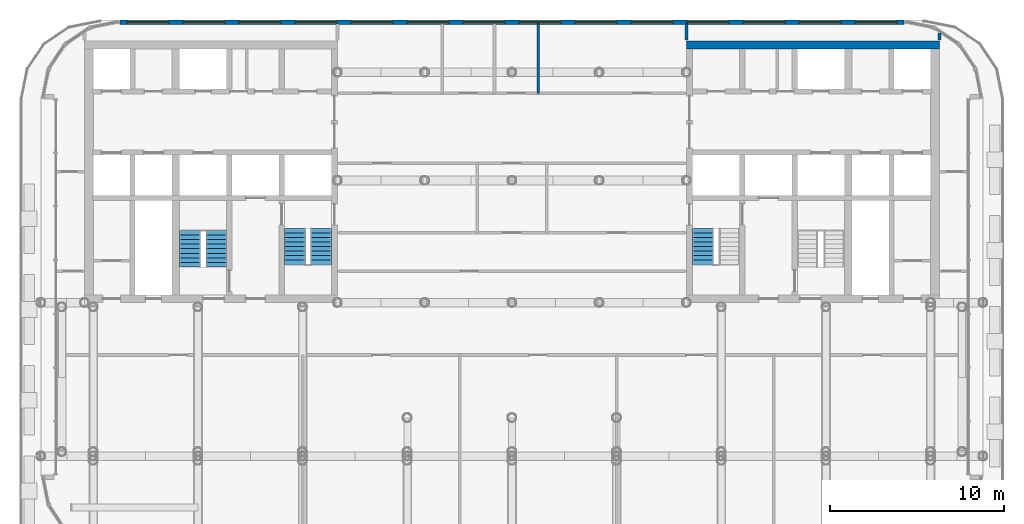
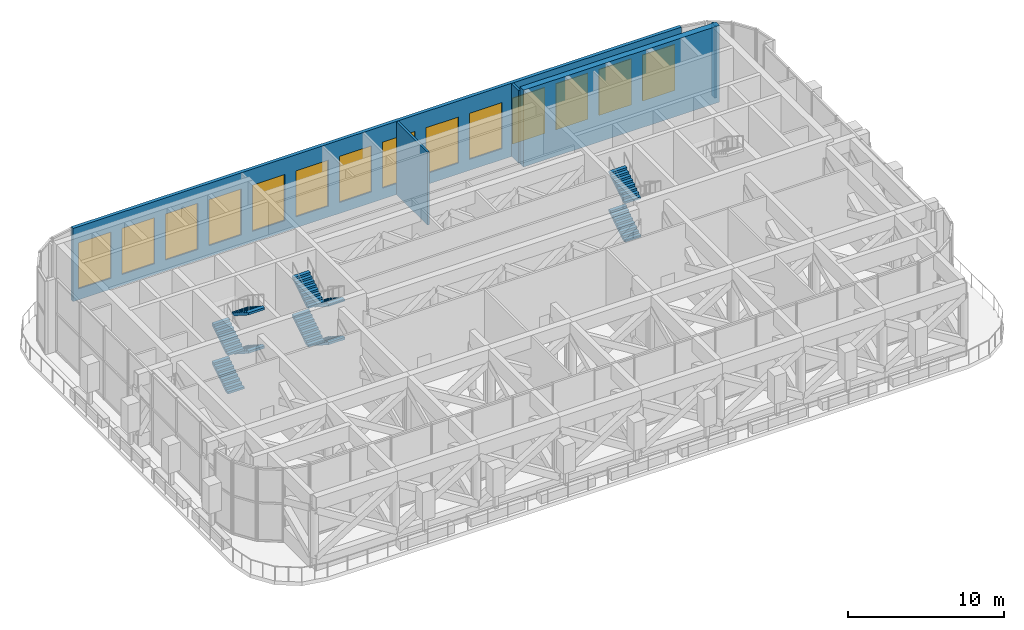
# One storey, part 15 of 20: 14 windows, 10 stair flights, 5 walls, 14 openings, 3 elements without a shape of their own.
"""IFC4 building model written with IfcOpenShell, lengths in metres."""

from ifc_helpers import new_model, si_unit, direction, frame, frame_2d, origin, place, context, subcontext, project, spatial, polyline, rectangle, outline, extrude, material, layer, layer_set, type_object, element, fill, aggregate, save


model = new_model("IFC4")

# Units and contexts
model_context = context("Model", 3, precision=1e-05, world=origin(), true_north=direction((0.0, 1.0)))
body_context = subcontext(model_context, "Body", "Model", "MODEL_VIEW")
ifc_project = project(units=[si_unit("LENGTHUNIT", "METRE"), si_unit("AREAUNIT", "SQUARE_METRE"), si_unit("VOLUMEUNIT", "CUBIC_METRE"), si_unit("PLANEANGLEUNIT", "RADIAN"), si_unit("MASSUNIT", "GRAM", prefix="KILO")], contexts=[model_context])

# Site, building, storey
site_placement = place(None, origin())
site = spatial("IfcSite", under=ifc_project, at=site_placement, CompositionType="ELEMENT")
building_placement = place(site_placement, origin())
building = spatial("IfcBuilding", under=site, at=building_placement, Name="Torana Hotel and Residences", CompositionType="ELEMENT")
storey_placement = place(building_placement, frame((0.0, 0.0, 177.60009765625)))
storey = spatial("IfcBuildingStorey", under=building, at=storey_placement, Name="L46", CompositionType="ELEMENT", Elevation=177.60009765625)

# Wall
ifc_material_1 = material(Name="Concrete C70/85", Category="concrete")
ifc_layer_1 = layer(ifc_material_1, 0.449951171875)
ifc_layer_set_1 = layer_set([ifc_layer_1], Name="CORE WALL 450 C70/85")
wall_type_1 = type_object("IfcWallType", Name="CORE WALL 450 C70/85", PredefinedType="SHEAR", material=ifc_layer_set_1)
wall_1_placement = place(storey_placement, frame((10.0, -0.22509765625, 0.0), z_axis=(0.0, 0.0, 1.0), x_axis=(1.0, 0.0, 0.0)))
element("IfcWall", 1, at=wall_1_placement, inside=storey, type_object=wall_type_1, Name="Core wall E rear", PredefinedType="SHEAR", context=body_context, shape_type="SweptSolid", body=[
    extrude(rectangle(XDim=14.5, YDim=0.449951171875, at=frame_2d((7.25, 0.0))), origin(), (0.0, 0.0, 1.0), 6.0),
])

# Wall, openings, windows
ifc_material_2 = material(Name="Aluminium louvre wall", Category="aluminium")
ifc_layer_2 = layer(ifc_material_2, 0.25)
ifc_layer_set_2 = layer_set([ifc_layer_2], Name="EW3 LOUVRE WALL 250")
wall_type_2 = type_object("IfcWallType", Name="EW3 LOUVRE WALL 250", PredefinedType="SOLIDWALL", material=ifc_layer_set_2)
wall_2_placement = place(storey_placement, frame((22.475341796875, 1.074951171875, 0.0), z_axis=(0.0, 0.0, 1.0), x_axis=(-1.0, 0.0, 0.0)))
wall_2 = element("IfcWall", 2, at=wall_2_placement, inside=storey, type_object=wall_type_2, Name="Louvre wall L46 e0.4", PredefinedType="SOLIDWALL", context=body_context, shape_type="SweptSolid", body=[
    extrude(rectangle(XDim=44.95068359375, YDim=0.25, at=frame_2d((22.475341796875, 0.0))), origin(), (0.0, 0.0, 1.0), 5.719970703125),
])
opening_1_placement = place(wall_2_placement, frame((0.405517578125, 0.0, 0.85791015625)))
opening_1 = element("IfcOpeningElement", 3, at=opening_1_placement, cuts=wall_2, Name="Opening LV2", PredefinedType="OPENING", context=body_context, shape_type="SweptSolid", body=[
    extrude(rectangle(XDim=2.39990234375, YDim=3.60009765625, at=frame_2d((1.199951171875, 1.800048828125))), frame((0.0, 0.135009765625, 0.0), z_axis=(0.0, -1.0, 0.0), x_axis=(1.0, 0.0, 0.0)), (0.0, 0.0, 1.0), 0.27001953125),
])
opening_2_placement = place(wall_2_placement, frame((3.6162109375, 0.0, 0.85791015625)))
opening_2 = element("IfcOpeningElement", 4, at=opening_2_placement, cuts=wall_2, Name="Opening LV2", PredefinedType="OPENING", context=body_context, shape_type="SweptSolid", body=[
    extrude(rectangle(XDim=2.39990234375, YDim=3.60009765625, at=frame_2d((1.199951171875, 1.800048828125))), frame((0.0, 0.135009765625, 0.0), z_axis=(0.0, -1.0, 0.0), x_axis=(1.0, 0.0, 0.0)), (0.0, 0.0, 1.0), 0.27001953125),
])
opening_3_placement = place(wall_2_placement, frame((6.826904296875, 0.0, 0.85791015625)))
opening_3 = element("IfcOpeningElement", 5, at=opening_3_placement, cuts=wall_2, Name="Opening LV2", PredefinedType="OPENING", context=body_context, shape_type="SweptSolid", body=[
    extrude(rectangle(XDim=2.39990234375, YDim=3.60009765625, at=frame_2d((1.199951171875, 1.800048828125))), frame((0.0, 0.135009765625, 0.0), z_axis=(0.0, -1.0, 0.0), x_axis=(1.0, 0.0, 0.0)), (0.0, 0.0, 1.0), 0.27001953125),
])
opening_4_placement = place(wall_2_placement, frame((10.03759765625, 0.0, 0.85791015625)))
opening_4 = element("IfcOpeningElement", 6, at=opening_4_placement, cuts=wall_2, Name="Opening LV2", PredefinedType="OPENING", context=body_context, shape_type="SweptSolid", body=[
    extrude(rectangle(XDim=2.39990234375, YDim=3.60009765625, at=frame_2d((1.199951171875, 1.800048828125))), frame((0.0, 0.135009765625, 0.0), z_axis=(0.0, -1.0, 0.0), x_axis=(1.0, 0.0, 0.0)), (0.0, 0.0, 1.0), 0.27001953125),
])
opening_5_placement = place(wall_2_placement, frame((13.24853515625, 0.0, 0.85791015625)))
opening_5 = element("IfcOpeningElement", 7, at=opening_5_placement, cuts=wall_2, Name="Opening LV2", PredefinedType="OPENING", context=body_context, shape_type="SweptSolid", body=[
    extrude(rectangle(XDim=2.39990234375, YDim=3.60009765625, at=frame_2d((1.199951171875, 1.800048828125))), frame((0.0, 0.135009765625, 0.0), z_axis=(0.0, -1.0, 0.0), x_axis=(1.0, 0.0, 0.0)), (0.0, 0.0, 1.0), 0.27001953125),
])
opening_6_placement = place(wall_2_placement, frame((16.459228515625, 0.0, 0.85791015625)))
opening_6 = element("IfcOpeningElement", 8, at=opening_6_placement, cuts=wall_2, Name="Opening LV2", PredefinedType="OPENING", context=body_context, shape_type="SweptSolid", body=[
    extrude(rectangle(XDim=2.39990234375, YDim=3.60009765625, at=frame_2d((1.199951171875, 1.800048828125))), frame((0.0, 0.135009765625, 0.0), z_axis=(0.0, -1.0, 0.0), x_axis=(1.0, 0.0, 0.0)), (0.0, 0.0, 1.0), 0.27001953125),
])
opening_7_placement = place(wall_2_placement, frame((19.669921875, 0.0, 0.85791015625)))
opening_7 = element("IfcOpeningElement", 9, at=opening_7_placement, cuts=wall_2, Name="Opening LV2", PredefinedType="OPENING", context=body_context, shape_type="SweptSolid", body=[
    extrude(rectangle(XDim=2.39990234375, YDim=3.60009765625, at=frame_2d((1.199951171875, 1.800048828125))), frame((0.0, 0.135009765625, 0.0), z_axis=(0.0, -1.0, 0.0), x_axis=(1.0, 0.0, 0.0)), (0.0, 0.0, 1.0), 0.27001953125),
])
opening_8_placement = place(wall_2_placement, frame((22.880859375, 0.0, 0.85791015625)))
opening_8 = element("IfcOpeningElement", 10, at=opening_8_placement, cuts=wall_2, Name="Opening LV2", PredefinedType="OPENING", context=body_context, shape_type="SweptSolid", body=[
    extrude(rectangle(XDim=2.39990234375, YDim=3.60009765625, at=frame_2d((1.199951171875, 1.800048828125))), frame((0.0, 0.135009765625, 0.0), z_axis=(0.0, -1.0, 0.0), x_axis=(1.0, 0.0, 0.0)), (0.0, 0.0, 1.0), 0.27001953125),
])
opening_9_placement = place(wall_2_placement, frame((26.091552734375, 0.0, 0.85791015625)))
opening_9 = element("IfcOpeningElement", 11, at=opening_9_placement, cuts=wall_2, Name="Opening LV2", PredefinedType="OPENING", context=body_context, shape_type="SweptSolid", body=[
    extrude(rectangle(XDim=2.39990234375, YDim=3.60009765625, at=frame_2d((1.199951171875, 1.800048828125))), frame((0.0, 0.135009765625, 0.0), z_axis=(0.0, -1.0, 0.0), x_axis=(1.0, 0.0, 0.0)), (0.0, 0.0, 1.0), 0.27001953125),
])
opening_10_placement = place(wall_2_placement, frame((29.30224609375, 0.0, 0.85791015625)))
opening_10 = element("IfcOpeningElement", 12, at=opening_10_placement, cuts=wall_2, Name="Opening LV2", PredefinedType="OPENING", context=body_context, shape_type="SweptSolid", body=[
    extrude(rectangle(XDim=2.39990234375, YDim=3.60009765625, at=frame_2d((1.199951171875, 1.800048828125))), frame((0.0, 0.135009765625, 0.0), z_axis=(0.0, -1.0, 0.0), x_axis=(1.0, 0.0, 0.0)), (0.0, 0.0, 1.0), 0.27001953125),
])
opening_11_placement = place(wall_2_placement, frame((32.51318359375, 0.0, 0.85791015625)))
opening_11 = element("IfcOpeningElement", 13, at=opening_11_placement, cuts=wall_2, Name="Opening LV2", PredefinedType="OPENING", context=body_context, shape_type="SweptSolid", body=[
    extrude(rectangle(XDim=2.39990234375, YDim=3.60009765625, at=frame_2d((1.199951171875, 1.800048828125))), frame((0.0, 0.135009765625, 0.0), z_axis=(0.0, -1.0, 0.0), x_axis=(1.0, 0.0, 0.0)), (0.0, 0.0, 1.0), 0.27001953125),
])
opening_12_placement = place(wall_2_placement, frame((35.723876953125, 0.0, 0.85791015625)))
opening_12 = element("IfcOpeningElement", 14, at=opening_12_placement, cuts=wall_2, Name="Opening LV2", PredefinedType="OPENING", context=body_context, shape_type="SweptSolid", body=[
    extrude(rectangle(XDim=2.39990234375, YDim=3.60009765625, at=frame_2d((1.199951171875, 1.800048828125))), frame((0.0, 0.135009765625, 0.0), z_axis=(0.0, -1.0, 0.0), x_axis=(1.0, 0.0, 0.0)), (0.0, 0.0, 1.0), 0.27001953125),
])
opening_13_placement = place(wall_2_placement, frame((38.9345703125, 0.0, 0.85791015625)))
opening_13 = element("IfcOpeningElement", 15, at=opening_13_placement, cuts=wall_2, Name="Opening LV2", PredefinedType="OPENING", context=body_context, shape_type="SweptSolid", body=[
    extrude(rectangle(XDim=2.39990234375, YDim=3.60009765625, at=frame_2d((1.199951171875, 1.800048828125))), frame((0.0, 0.135009765625, 0.0), z_axis=(0.0, -1.0, 0.0), x_axis=(1.0, 0.0, 0.0)), (0.0, 0.0, 1.0), 0.27001953125),
])
opening_14_placement = place(wall_2_placement, frame((42.1455078125, 0.0, 0.85791015625)))
opening_14 = element("IfcOpeningElement", 16, at=opening_14_placement, cuts=wall_2, Name="Opening LV2", PredefinedType="OPENING", context=body_context, shape_type="SweptSolid", body=[
    extrude(rectangle(XDim=2.39990234375, YDim=3.60009765625, at=frame_2d((1.199951171875, 1.800048828125))), frame((0.0, 0.135009765625, 0.0), z_axis=(0.0, -1.0, 0.0), x_axis=(1.0, 0.0, 0.0)), (0.0, 0.0, 1.0), 0.27001953125),
])
ifc_material_3 = material(Name="Aluminium louvre blades", Category="aluminium")
window_type = type_object("IfcWindowType", Name="LV2 LOUVRE 2400x3600", PartitioningType="SINGLE_PANEL", PredefinedType="USERDEFINED", material=ifc_material_3)
window_1_placement = place(opening_1_placement, origin())
window_1 = element("IfcWindow", 17, at=window_1_placement, inside=storey, type_object=window_type, Name="Louvre L46", ObjectType="LOUVRE", OverallHeight=3.60009765625, OverallWidth=2.39990234375, PartitioningType="SINGLE_PANEL", PredefinedType="USERDEFINED", context=body_context, shape_type="SweptSolid", body=[
    extrude(rectangle(XDim=2.39990234375, YDim=3.60009765625, at=frame_2d((1.199951171875, 1.800048828125))), frame((0.0, 0.030029296875, 0.0), z_axis=(0.0, -1.0, 0.0), x_axis=(1.0, 0.0, 0.0)), (0.0, 0.0, 1.0), 0.06005859375),
])
fill(opening_1, window_1)
window_2_placement = place(opening_2_placement, origin())
window_2 = element("IfcWindow", 18, at=window_2_placement, inside=storey, type_object=window_type, Name="Louvre L46", ObjectType="LOUVRE", OverallHeight=3.60009765625, OverallWidth=2.39990234375, PartitioningType="SINGLE_PANEL", PredefinedType="USERDEFINED", context=body_context, shape_type="SweptSolid", body=[
    extrude(rectangle(XDim=2.39990234375, YDim=3.60009765625, at=frame_2d((1.199951171875, 1.800048828125))), frame((0.0, 0.030029296875, 0.0), z_axis=(0.0, -1.0, 0.0), x_axis=(1.0, 0.0, 0.0)), (0.0, 0.0, 1.0), 0.06005859375),
])
fill(opening_2, window_2)
window_3_placement = place(opening_3_placement, origin())
window_3 = element("IfcWindow", 19, at=window_3_placement, inside=storey, type_object=window_type, Name="Louvre L46", ObjectType="LOUVRE", OverallHeight=3.60009765625, OverallWidth=2.39990234375, PartitioningType="SINGLE_PANEL", PredefinedType="USERDEFINED", context=body_context, shape_type="SweptSolid", body=[
    extrude(rectangle(XDim=2.39990234375, YDim=3.60009765625, at=frame_2d((1.199951171875, 1.800048828125))), frame((0.0, 0.030029296875, 0.0), z_axis=(0.0, -1.0, 0.0), x_axis=(1.0, 0.0, 0.0)), (0.0, 0.0, 1.0), 0.06005859375),
])
fill(opening_3, window_3)
window_4_placement = place(opening_4_placement, origin())
window_4 = element("IfcWindow", 20, at=window_4_placement, inside=storey, type_object=window_type, Name="Louvre L46", ObjectType="LOUVRE", OverallHeight=3.60009765625, OverallWidth=2.39990234375, PartitioningType="SINGLE_PANEL", PredefinedType="USERDEFINED", context=body_context, shape_type="SweptSolid", body=[
    extrude(rectangle(XDim=2.39990234375, YDim=3.60009765625, at=frame_2d((1.199951171875, 1.800048828125))), frame((0.0, 0.030029296875, 0.0), z_axis=(0.0, -1.0, 0.0), x_axis=(1.0, 0.0, 0.0)), (0.0, 0.0, 1.0), 0.06005859375),
])
fill(opening_4, window_4)
window_5_placement = place(opening_5_placement, origin())
window_5 = element("IfcWindow", 21, at=window_5_placement, inside=storey, type_object=window_type, Name="Louvre L46", ObjectType="LOUVRE", OverallHeight=3.60009765625, OverallWidth=2.39990234375, PartitioningType="SINGLE_PANEL", PredefinedType="USERDEFINED", context=body_context, shape_type="SweptSolid", body=[
    extrude(rectangle(XDim=2.39990234375, YDim=3.60009765625, at=frame_2d((1.199951171875, 1.800048828125))), frame((0.0, 0.030029296875, 0.0), z_axis=(0.0, -1.0, 0.0), x_axis=(1.0, 0.0, 0.0)), (0.0, 0.0, 1.0), 0.06005859375),
])
fill(opening_5, window_5)
window_6_placement = place(opening_6_placement, origin())
window_6 = element("IfcWindow", 22, at=window_6_placement, inside=storey, type_object=window_type, Name="Louvre L46", ObjectType="LOUVRE", OverallHeight=3.60009765625, OverallWidth=2.39990234375, PartitioningType="SINGLE_PANEL", PredefinedType="USERDEFINED", context=body_context, shape_type="SweptSolid", body=[
    extrude(rectangle(XDim=2.39990234375, YDim=3.60009765625, at=frame_2d((1.199951171875, 1.800048828125))), frame((0.0, 0.030029296875, 0.0), z_axis=(0.0, -1.0, 0.0), x_axis=(1.0, 0.0, 0.0)), (0.0, 0.0, 1.0), 0.06005859375),
])
fill(opening_6, window_6)
window_7_placement = place(opening_7_placement, origin())
window_7 = element("IfcWindow", 23, at=window_7_placement, inside=storey, type_object=window_type, Name="Louvre L46", ObjectType="LOUVRE", OverallHeight=3.60009765625, OverallWidth=2.39990234375, PartitioningType="SINGLE_PANEL", PredefinedType="USERDEFINED", context=body_context, shape_type="SweptSolid", body=[
    extrude(rectangle(XDim=2.39990234375, YDim=3.60009765625, at=frame_2d((1.199951171875, 1.800048828125))), frame((0.0, 0.030029296875, 0.0), z_axis=(0.0, -1.0, 0.0), x_axis=(1.0, 0.0, 0.0)), (0.0, 0.0, 1.0), 0.06005859375),
])
fill(opening_7, window_7)
window_8_placement = place(opening_8_placement, origin())
window_8 = element("IfcWindow", 24, at=window_8_placement, inside=storey, type_object=window_type, Name="Louvre L46", ObjectType="LOUVRE", OverallHeight=3.60009765625, OverallWidth=2.39990234375, PartitioningType="SINGLE_PANEL", PredefinedType="USERDEFINED", context=body_context, shape_type="SweptSolid", body=[
    extrude(rectangle(XDim=2.39990234375, YDim=3.60009765625, at=frame_2d((1.199951171875, 1.800048828125))), frame((0.0, 0.030029296875, 0.0), z_axis=(0.0, -1.0, 0.0), x_axis=(1.0, 0.0, 0.0)), (0.0, 0.0, 1.0), 0.06005859375),
])
fill(opening_8, window_8)
window_9_placement = place(opening_9_placement, origin())
window_9 = element("IfcWindow", 25, at=window_9_placement, inside=storey, type_object=window_type, Name="Louvre L46", ObjectType="LOUVRE", OverallHeight=3.60009765625, OverallWidth=2.39990234375, PartitioningType="SINGLE_PANEL", PredefinedType="USERDEFINED", context=body_context, shape_type="SweptSolid", body=[
    extrude(rectangle(XDim=2.39990234375, YDim=3.60009765625, at=frame_2d((1.199951171875, 1.800048828125))), frame((0.0, 0.030029296875, 0.0), z_axis=(0.0, -1.0, 0.0), x_axis=(1.0, 0.0, 0.0)), (0.0, 0.0, 1.0), 0.06005859375),
])
fill(opening_9, window_9)
window_10_placement = place(opening_10_placement, origin())
window_10 = element("IfcWindow", 26, at=window_10_placement, inside=storey, type_object=window_type, Name="Louvre L46", ObjectType="LOUVRE", OverallHeight=3.60009765625, OverallWidth=2.39990234375, PartitioningType="SINGLE_PANEL", PredefinedType="USERDEFINED", context=body_context, shape_type="SweptSolid", body=[
    extrude(rectangle(XDim=2.39990234375, YDim=3.60009765625, at=frame_2d((1.199951171875, 1.800048828125))), frame((0.0, 0.030029296875, 0.0), z_axis=(0.0, -1.0, 0.0), x_axis=(1.0, 0.0, 0.0)), (0.0, 0.0, 1.0), 0.06005859375),
])
fill(opening_10, window_10)
window_11_placement = place(opening_11_placement, origin())
window_11 = element("IfcWindow", 27, at=window_11_placement, inside=storey, type_object=window_type, Name="Louvre L46", ObjectType="LOUVRE", OverallHeight=3.60009765625, OverallWidth=2.39990234375, PartitioningType="SINGLE_PANEL", PredefinedType="USERDEFINED", context=body_context, shape_type="SweptSolid", body=[
    extrude(rectangle(XDim=2.39990234375, YDim=3.60009765625, at=frame_2d((1.199951171875, 1.800048828125))), frame((0.0, 0.030029296875, 0.0), z_axis=(0.0, -1.0, 0.0), x_axis=(1.0, 0.0, 0.0)), (0.0, 0.0, 1.0), 0.06005859375),
])
fill(opening_11, window_11)
window_12_placement = place(opening_12_placement, origin())
window_12 = element("IfcWindow", 28, at=window_12_placement, inside=storey, type_object=window_type, Name="Louvre L46", ObjectType="LOUVRE", OverallHeight=3.60009765625, OverallWidth=2.39990234375, PartitioningType="SINGLE_PANEL", PredefinedType="USERDEFINED", context=body_context, shape_type="SweptSolid", body=[
    extrude(rectangle(XDim=2.39990234375, YDim=3.60009765625, at=frame_2d((1.199951171875, 1.800048828125))), frame((0.0, 0.030029296875, 0.0), z_axis=(0.0, -1.0, 0.0), x_axis=(1.0, 0.0, 0.0)), (0.0, 0.0, 1.0), 0.06005859375),
])
fill(opening_12, window_12)
window_13_placement = place(opening_13_placement, origin())
window_13 = element("IfcWindow", 29, at=window_13_placement, inside=storey, type_object=window_type, Name="Louvre L46", ObjectType="LOUVRE", OverallHeight=3.60009765625, OverallWidth=2.39990234375, PartitioningType="SINGLE_PANEL", PredefinedType="USERDEFINED", context=body_context, shape_type="SweptSolid", body=[
    extrude(rectangle(XDim=2.39990234375, YDim=3.60009765625, at=frame_2d((1.199951171875, 1.800048828125))), frame((0.0, 0.030029296875, 0.0), z_axis=(0.0, -1.0, 0.0), x_axis=(1.0, 0.0, 0.0)), (0.0, 0.0, 1.0), 0.06005859375),
])
fill(opening_13, window_13)
window_14_placement = place(opening_14_placement, origin())
window_14 = element("IfcWindow", 30, at=window_14_placement, inside=storey, type_object=window_type, Name="Louvre L46", ObjectType="LOUVRE", OverallHeight=3.60009765625, OverallWidth=2.39990234375, PartitioningType="SINGLE_PANEL", PredefinedType="USERDEFINED", context=body_context, shape_type="SweptSolid", body=[
    extrude(rectangle(XDim=2.39990234375, YDim=3.60009765625, at=frame_2d((1.199951171875, 1.800048828125))), frame((0.0, 0.030029296875, 0.0), z_axis=(0.0, -1.0, 0.0), x_axis=(1.0, 0.0, 0.0)), (0.0, 0.0, 1.0), 0.06005859375),
])
fill(opening_14, window_14)

# Walls
ifc_material_4 = material(Name="Gypsum plasterboard")
ifc_layer_3 = layer(ifc_material_4, 0.012451171875, Name="Plasterboard", Category="finish")
ifc_layer_4 = layer(ifc_material_4, 0.012451171875, Name="Plasterboard", Category="finish")
ifc_material_5 = material(Name="Steel S280GD", Category="steel")
ifc_layer_5 = layer(ifc_material_5, 0.10009765625, Name="Steel studs with mineral wool", Category="insulation")
ifc_layer_6 = layer(ifc_material_4, 0.012451171875, Name="Plasterboard", Category="finish")
ifc_layer_7 = layer(ifc_material_4, 0.012451171875, Name="Plasterboard", Category="finish")
ifc_layer_set_3 = layer_set([ifc_layer_3, ifc_layer_4, ifc_layer_5, ifc_layer_6, ifc_layer_7], Name="PARTITION 150 PLASTERBOARD")
wall_type_3 = type_object("IfcWallType", Name="PARTITION 150 PLASTERBOARD", PredefinedType="PARTITIONING", material=ifc_layer_set_3)
wall_3_placement = place(storey_placement, frame((24.5, 0.050048828125, 0.0), z_axis=(0.0, 0.0, 1.0), x_axis=(0.0, 1.0, 0.0)))
element("IfcWall", 31, at=wall_3_placement, inside=storey, type_object=wall_type_3, Name="Partition L46", PredefinedType="PARTITIONING", context=body_context, shape_type="SweptSolid", body=[
    extrude(rectangle(XDim=0.4052734375, YDim=0.14990234375, at=frame_2d((0.20263671875, 0.0))), origin(), (0.0, 0.0, 1.0), 5.699951171875),
])
wall_4_placement = place(storey_placement, frame((10.0, 0.050048828125, 0.0), z_axis=(0.0, 0.0, 1.0), x_axis=(0.0, 1.0, 0.0)))
element("IfcWall", 32, at=wall_4_placement, inside=storey, type_object=wall_type_3, Name="Partition L46", PredefinedType="PARTITIONING", context=body_context, shape_type="SweptSolid", body=[
    extrude(rectangle(XDim=0.909912109375, YDim=0.14990234375, at=frame_2d((0.455078125, 0.0))), origin(), (0.0, 0.0, 1.0), 5.699951171875),
])
ifc_material_6 = material(Name="Ceramic tile on adhesive")
ifc_layer_8 = layer(ifc_material_6, 0.010009765625, Name="Wall tile", Category="finish")
ifc_material_7 = material(Name="Cement render")
ifc_layer_9 = layer(ifc_material_7, 0.010009765625, Name="Render", Category="finish")
ifc_material_8 = material(Name="Concrete blockwork", Category="masonry")
ifc_layer_10 = layer(ifc_material_8, 0.110107421875, Name="Blockwork", Category="structure")
ifc_layer_11 = layer(ifc_material_7, 0.010009765625, Name="Render", Category="finish")
ifc_layer_12 = layer(ifc_material_6, 0.010009765625, Name="Wall tile", Category="finish")
ifc_layer_set_4 = layer_set([ifc_layer_8, ifc_layer_9, ifc_layer_10, ifc_layer_11, ifc_layer_12], Name="WC PARTITION 150")
wall_type_4 = type_object("IfcWallType", Name="WC PARTITION 150", PredefinedType="PLUMBINGWALL", material=ifc_layer_set_4)
wall_5_placement = place(storey_placement, frame((1.5, -3.0, 0.0), z_axis=(0.0, 0.0, 1.0), x_axis=(0.0, 1.0, 0.0)))
element("IfcWall", 33, at=wall_5_placement, inside=storey, type_object=wall_type_4, Name="Partition L46", PredefinedType="PLUMBINGWALL", context=body_context, shape_type="SweptSolid", body=[
    extrude(rectangle(XDim=3.9599609375, YDim=0.14990234375, at=frame_2d((1.97998046875, 0.0))), origin(), (0.0, 0.0, 1.0), 5.699951171875),
])

# Stair, stair flights
ifc_material_9 = material(Name="Concrete C40/50 precast", Category="concrete")
stair_type_1 = type_object("IfcStairType", Name="STAIR ST1 HALF TURN 1200", PredefinedType="HALF_TURN_STAIR", material=ifc_material_9)
stair_1_placement = place(storey_placement, origin())
stair_1 = element("IfcStair", 34, at=stair_1_placement, inside=storey, type_object=stair_type_1, Name="Stair ST1 L46", PredefinedType="HALF_TURN_STAIR")
ifc_material_10 = material(Name="Concrete C40/50 precast", Category="concrete")
stair_flight_type = type_object("IfcStairFlightType", Name="STAIR FLIGHT 1200 PRECAST", PredefinedType="STRAIGHT", material=ifc_material_10)
stair_flight_1_placement = place(storey_placement, frame((-10.949951171875, -10.75, 0.0), z_axis=(0.0, 0.0, 1.0), x_axis=(0.0, -1.0, 0.0)))
stair_flight_1 = element("IfcStairFlight", 35, at=stair_flight_1_placement, type_object=stair_flight_type, Name="ST1 flight 1", NumberOfRisers=9, NumberOfTreads=8, PredefinedType="STRAIGHT", RiserHeight=0.166666667, TreadLength=0.26, context=body_context, shape_type="SweptSolid", body=[
    extrude(outline(polyline([(0.0, 0.0), (0.0, 0.166748046875), (0.260009765625, 0.166748046875), (0.260009765625, 0.333251953125), (0.52001953125, 0.333251953125), (0.52001953125, 0.5), (0.780029296875, 0.5), (0.780029296875, 0.666748046875), (1.0400390625, 0.666748046875), (1.0400390625, 0.833251953125), (1.300048828125, 0.833251953125), (1.300048828125, 1.0), (1.56005859375, 1.0), (1.56005859375, 1.166748046875), (1.820068359375, 1.166748046875), (1.820068359375, 1.333251953125), (2.080078125, 1.333251953125), (2.080078125, 1.5), (2.080078125, 1.1552734375), (0.27783203125, 0.0), (0.0, 0.0)])), frame((0.0, 0.60009765625, 0.0), z_axis=(0.0, -1.0, 0.0), x_axis=(1.0, 0.0, 0.0)), (0.0, 0.0, 1.0), 1.199951171875),
])
stair_flight_2_placement = place(storey_placement, frame((-12.449951171875, -12.830078125, 1.5), z_axis=(0.0, 0.0, 1.0), x_axis=(0.0, 1.0, 0.0)))
stair_flight_2 = element("IfcStairFlight", 36, at=stair_flight_2_placement, type_object=stair_flight_type, Name="ST1 flight 2", NumberOfRisers=9, NumberOfTreads=8, PredefinedType="STRAIGHT", RiserHeight=0.166666667, TreadLength=0.26, context=body_context, shape_type="SweptSolid", body=[
    extrude(outline(polyline([(0.0, 0.0), (0.0, 0.166748046875), (0.260009765625, 0.166748046875), (0.260009765625, 0.333251953125), (0.52001953125, 0.333251953125), (0.52001953125, 0.5), (0.780029296875, 0.5), (0.780029296875, 0.666748046875), (1.0400390625, 0.666748046875), (1.0400390625, 0.833251953125), (1.300048828125, 0.833251953125), (1.300048828125, 1.0), (1.56005859375, 1.0), (1.56005859375, 1.166748046875), (1.820068359375, 1.166748046875), (1.820068359375, 1.333251953125), (2.080078125, 1.333251953125), (2.080078125, 1.5), (2.080078125, 1.1552734375), (0.27783203125, 0.0), (0.0, 0.0)])), frame((0.0, 0.60009765625, 0.0), z_axis=(0.0, -1.0, 0.0), x_axis=(1.0, 0.0, 0.0)), (0.0, 0.0, 1.0), 1.199951171875),
])
stair_flight_3_placement = place(storey_placement, frame((-10.949951171875, -10.75, 3.0), z_axis=(0.0, 0.0, 1.0), x_axis=(0.0, -1.0, 0.0)))
stair_flight_3 = element("IfcStairFlight", 37, at=stair_flight_3_placement, type_object=stair_flight_type, Name="ST1 flight 3", NumberOfRisers=9, NumberOfTreads=8, PredefinedType="STRAIGHT", RiserHeight=0.166666667, TreadLength=0.26, context=body_context, shape_type="SweptSolid", body=[
    extrude(outline(polyline([(0.0, 0.0), (0.0, 0.166748046875), (0.260009765625, 0.166748046875), (0.260009765625, 0.333251953125), (0.52001953125, 0.333251953125), (0.52001953125, 0.5), (0.780029296875, 0.5), (0.780029296875, 0.666748046875), (1.0400390625, 0.666748046875), (1.0400390625, 0.833251953125), (1.300048828125, 0.833251953125), (1.300048828125, 1.0), (1.56005859375, 1.0), (1.56005859375, 1.166748046875), (1.820068359375, 1.166748046875), (1.820068359375, 1.333251953125), (2.080078125, 1.333251953125), (2.080078125, 1.5), (2.080078125, 1.1552734375), (0.27783203125, 0.0), (0.0, 0.0)])), frame((0.0, 0.60009765625, 0.0), z_axis=(0.0, -1.0, 0.0), x_axis=(1.0, 0.0, 0.0)), (0.0, 0.0, 1.0), 1.199951171875),
])
stair_flight_4_placement = place(storey_placement, frame((-12.449951171875, -12.830078125, 4.5), z_axis=(0.0, 0.0, 1.0), x_axis=(0.0, 1.0, 0.0)))
stair_flight_4 = element("IfcStairFlight", 38, at=stair_flight_4_placement, type_object=stair_flight_type, Name="ST1 flight 4", NumberOfRisers=9, NumberOfTreads=8, PredefinedType="STRAIGHT", RiserHeight=0.166666667, TreadLength=0.26, context=body_context, shape_type="SweptSolid", body=[
    extrude(outline(polyline([(0.0, 0.0), (0.0, 0.166748046875), (0.260009765625, 0.166748046875), (0.260009765625, 0.333251953125), (0.52001953125, 0.333251953125), (0.52001953125, 0.5), (0.780029296875, 0.5), (0.780029296875, 0.666748046875), (1.0400390625, 0.666748046875), (1.0400390625, 0.833251953125), (1.300048828125, 0.833251953125), (1.300048828125, 1.0), (1.56005859375, 1.0), (1.56005859375, 1.166748046875), (1.820068359375, 1.166748046875), (1.820068359375, 1.333251953125), (2.080078125, 1.333251953125), (2.080078125, 1.5), (2.080078125, 1.1552734375), (0.27783203125, 0.0), (0.0, 0.0)])), frame((0.0, 0.60009765625, 0.0), z_axis=(0.0, -1.0, 0.0), x_axis=(1.0, 0.0, 0.0)), (0.0, 0.0, 1.0), 1.199951171875),
])
aggregate(stair_1, [stair_flight_1, stair_flight_2, stair_flight_3, stair_flight_4])

ifc_material_11 = material(Name="Concrete C40/50 precast", Category="concrete")
stair_type_2 = type_object("IfcStairType", Name="STAIR ST2 HALF TURN 1200", PredefinedType="HALF_TURN_STAIR", material=ifc_material_11)
stair_2_placement = place(storey_placement, origin())
stair_2 = element("IfcStair", 39, at=stair_2_placement, inside=storey, type_object=stair_type_2, Name="Stair ST2 L46", PredefinedType="HALF_TURN_STAIR")
stair_flight_5_placement = place(storey_placement, frame((-18.449951171875, -12.949951171875, 0.0), z_axis=(0.0, 0.0, 1.0), x_axis=(0.0, 1.0, 0.0)))
stair_flight_5 = element("IfcStairFlight", 40, at=stair_flight_5_placement, type_object=stair_flight_type, Name="ST2 flight 1", NumberOfRisers=9, NumberOfTreads=8, PredefinedType="STRAIGHT", RiserHeight=0.166666667, TreadLength=0.26, context=body_context, shape_type="SweptSolid", body=[
    extrude(outline(polyline([(0.0, 0.0), (0.0, 0.166748046875), (0.260009765625, 0.166748046875), (0.260009765625, 0.333251953125), (0.52001953125, 0.333251953125), (0.52001953125, 0.5), (0.780029296875, 0.5), (0.780029296875, 0.666748046875), (1.0400390625, 0.666748046875), (1.0400390625, 0.833251953125), (1.300048828125, 0.833251953125), (1.300048828125, 1.0), (1.56005859375, 1.0), (1.56005859375, 1.166748046875), (1.820068359375, 1.166748046875), (1.820068359375, 1.333251953125), (2.080078125, 1.333251953125), (2.080078125, 1.5), (2.080078125, 1.1552734375), (0.27783203125, 0.0), (0.0, 0.0)])), frame((0.0, 0.60009765625, 0.0), z_axis=(0.0, -1.0, 0.0), x_axis=(1.0, 0.0, 0.0)), (0.0, 0.0, 1.0), 1.199951171875),
])
stair_flight_6_placement = place(storey_placement, frame((-16.949951171875, -10.8701171875, 1.5), z_axis=(0.0, 0.0, 1.0), x_axis=(0.0, -1.0, 0.0)))
stair_flight_6 = element("IfcStairFlight", 41, at=stair_flight_6_placement, type_object=stair_flight_type, Name="ST2 flight 2", NumberOfRisers=9, NumberOfTreads=8, PredefinedType="STRAIGHT", RiserHeight=0.166666667, TreadLength=0.26, context=body_context, shape_type="SweptSolid", body=[
    extrude(outline(polyline([(0.0, 0.0), (0.0, 0.166748046875), (0.260009765625, 0.166748046875), (0.260009765625, 0.333251953125), (0.52001953125, 0.333251953125), (0.52001953125, 0.5), (0.780029296875, 0.5), (0.780029296875, 0.666748046875), (1.0400390625, 0.666748046875), (1.0400390625, 0.833251953125), (1.300048828125, 0.833251953125), (1.300048828125, 1.0), (1.56005859375, 1.0), (1.56005859375, 1.166748046875), (1.820068359375, 1.166748046875), (1.820068359375, 1.333251953125), (2.080078125, 1.333251953125), (2.080078125, 1.5), (2.080078125, 1.1552734375), (0.27783203125, 0.0), (0.0, 0.0)])), frame((0.0, 0.60009765625, 0.0), z_axis=(0.0, -1.0, 0.0), x_axis=(1.0, 0.0, 0.0)), (0.0, 0.0, 1.0), 1.199951171875),
])
stair_flight_7_placement = place(storey_placement, frame((-18.449951171875, -12.949951171875, 3.0), z_axis=(0.0, 0.0, 1.0), x_axis=(0.0, 1.0, 0.0)))
stair_flight_7 = element("IfcStairFlight", 42, at=stair_flight_7_placement, type_object=stair_flight_type, Name="ST2 flight 3", NumberOfRisers=9, NumberOfTreads=8, PredefinedType="STRAIGHT", RiserHeight=0.166666667, TreadLength=0.26, context=body_context, shape_type="SweptSolid", body=[
    extrude(outline(polyline([(0.0, 0.0), (0.0, 0.166748046875), (0.260009765625, 0.166748046875), (0.260009765625, 0.333251953125), (0.52001953125, 0.333251953125), (0.52001953125, 0.5), (0.780029296875, 0.5), (0.780029296875, 0.666748046875), (1.0400390625, 0.666748046875), (1.0400390625, 0.833251953125), (1.300048828125, 0.833251953125), (1.300048828125, 1.0), (1.56005859375, 1.0), (1.56005859375, 1.166748046875), (1.820068359375, 1.166748046875), (1.820068359375, 1.333251953125), (2.080078125, 1.333251953125), (2.080078125, 1.5), (2.080078125, 1.1552734375), (0.27783203125, 0.0), (0.0, 0.0)])), frame((0.0, 0.60009765625, 0.0), z_axis=(0.0, -1.0, 0.0), x_axis=(1.0, 0.0, 0.0)), (0.0, 0.0, 1.0), 1.199951171875),
])
stair_flight_8_placement = place(storey_placement, frame((-16.949951171875, -10.8701171875, 4.5), z_axis=(0.0, 0.0, 1.0), x_axis=(0.0, -1.0, 0.0)))
stair_flight_8 = element("IfcStairFlight", 43, at=stair_flight_8_placement, type_object=stair_flight_type, Name="ST2 flight 4", NumberOfRisers=9, NumberOfTreads=8, PredefinedType="STRAIGHT", RiserHeight=0.166666667, TreadLength=0.26, context=body_context, shape_type="SweptSolid", body=[
    extrude(outline(polyline([(0.0, 0.0), (0.0, 0.166748046875), (0.260009765625, 0.166748046875), (0.260009765625, 0.333251953125), (0.52001953125, 0.333251953125), (0.52001953125, 0.5), (0.780029296875, 0.5), (0.780029296875, 0.666748046875), (1.0400390625, 0.666748046875), (1.0400390625, 0.833251953125), (1.300048828125, 0.833251953125), (1.300048828125, 1.0), (1.56005859375, 1.0), (1.56005859375, 1.166748046875), (1.820068359375, 1.166748046875), (1.820068359375, 1.333251953125), (2.080078125, 1.333251953125), (2.080078125, 1.5), (2.080078125, 1.1552734375), (0.27783203125, 0.0), (0.0, 0.0)])), frame((0.0, 0.60009765625, 0.0), z_axis=(0.0, -1.0, 0.0), x_axis=(1.0, 0.0, 0.0)), (0.0, 0.0, 1.0), 1.199951171875),
])
aggregate(stair_2, [stair_flight_5, stair_flight_6, stair_flight_7, stair_flight_8])

ifc_material_12 = material(Name="Concrete C40/50 precast", Category="concrete")
stair_type_3 = type_object("IfcStairType", Name="STAIR ST3 HALF TURN 1200", PredefinedType="HALF_TURN_STAIR", material=ifc_material_12)
stair_3_placement = place(storey_placement, origin())
stair_3 = element("IfcStair", 44, at=stair_3_placement, inside=storey, type_object=stair_type_3, Name="Stair ST3 L46", PredefinedType="HALF_TURN_STAIR")
stair_flight_9_placement = place(storey_placement, frame((10.949951171875, -12.830078125, 1.5), z_axis=(0.0, 0.0, 1.0), x_axis=(0.0, 1.0, 0.0)))
stair_flight_9 = element("IfcStairFlight", 45, at=stair_flight_9_placement, type_object=stair_flight_type, Name="ST3 flight 2", NumberOfRisers=9, NumberOfTreads=8, PredefinedType="STRAIGHT", RiserHeight=0.166666667, TreadLength=0.26, context=body_context, shape_type="SweptSolid", body=[
    extrude(outline(polyline([(0.0, 0.0), (0.0, 0.166748046875), (0.260009765625, 0.166748046875), (0.260009765625, 0.333251953125), (0.52001953125, 0.333251953125), (0.52001953125, 0.5), (0.780029296875, 0.5), (0.780029296875, 0.666748046875), (1.0400390625, 0.666748046875), (1.0400390625, 0.833251953125), (1.300048828125, 0.833251953125), (1.300048828125, 1.0), (1.56005859375, 1.0), (1.56005859375, 1.166748046875), (1.820068359375, 1.166748046875), (1.820068359375, 1.333251953125), (2.080078125, 1.333251953125), (2.080078125, 1.5), (2.080078125, 1.1552734375), (0.27783203125, 0.0), (0.0, 0.0)])), frame((0.0, 0.60009765625, 0.0), z_axis=(0.0, -1.0, 0.0), x_axis=(1.0, 0.0, 0.0)), (0.0, 0.0, 1.0), 1.199951171875),
])
stair_flight_10_placement = place(storey_placement, frame((10.949951171875, -12.830078125, 4.5), z_axis=(0.0, 0.0, 1.0), x_axis=(0.0, 1.0, 0.0)))
stair_flight_10 = element("IfcStairFlight", 46, at=stair_flight_10_placement, type_object=stair_flight_type, Name="ST3 flight 4", NumberOfRisers=9, NumberOfTreads=8, PredefinedType="STRAIGHT", RiserHeight=0.166666667, TreadLength=0.26, context=body_context, shape_type="SweptSolid", body=[
    extrude(outline(polyline([(0.0, 0.0), (0.0, 0.166748046875), (0.260009765625, 0.166748046875), (0.260009765625, 0.333251953125), (0.52001953125, 0.333251953125), (0.52001953125, 0.5), (0.780029296875, 0.5), (0.780029296875, 0.666748046875), (1.0400390625, 0.666748046875), (1.0400390625, 0.833251953125), (1.300048828125, 0.833251953125), (1.300048828125, 1.0), (1.56005859375, 1.0), (1.56005859375, 1.166748046875), (1.820068359375, 1.166748046875), (1.820068359375, 1.333251953125), (2.080078125, 1.333251953125), (2.080078125, 1.5), (2.080078125, 1.1552734375), (0.27783203125, 0.0), (0.0, 0.0)])), frame((0.0, 0.60009765625, 0.0), z_axis=(0.0, -1.0, 0.0), x_axis=(1.0, 0.0, 0.0)), (0.0, 0.0, 1.0), 1.199951171875),
])
aggregate(stair_3, [stair_flight_9, stair_flight_10])

save(model, "model.ifc")
